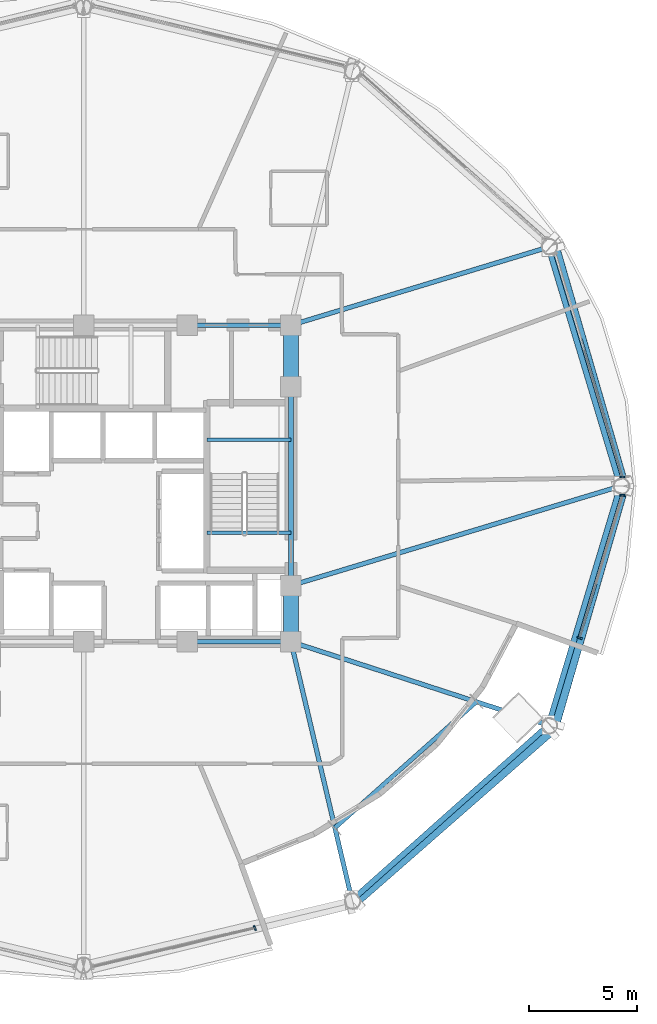
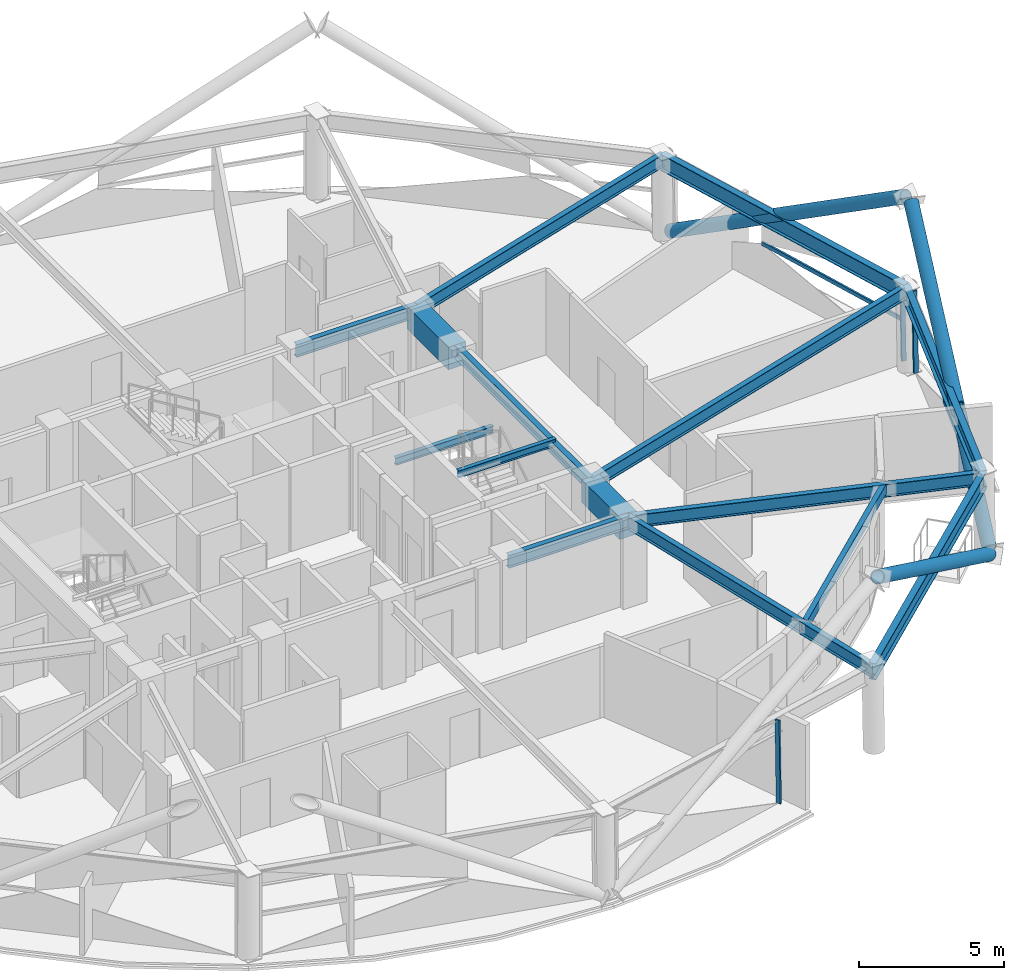
# One storey, part 5 of 17: 15 beams, 9 members, 3 elements without a shape of their own.
"""IFC4 building model written with IfcOpenShell, lengths in metres."""

from ifc_helpers import new_model, si_unit, direction, frame, origin, origin_2d, place, context, subcontext, project, spatial, rectangle, hollow_rectangle, hollow_circle, i_section, extrude, material, layer, layer_set, material_profile, profile_set, type_object, element, aggregate, save


model = new_model("IFC4")

# Units and contexts
model_context = context("Model", 3, precision=1e-05, world=origin(), true_north=direction((0.0, 1.0)))
body_context = subcontext(model_context, "Body", "Model", "MODEL_VIEW")
ifc_project = project(units=[si_unit("LENGTHUNIT", "METRE"), si_unit("AREAUNIT", "SQUARE_METRE"), si_unit("VOLUMEUNIT", "CUBIC_METRE"), si_unit("PLANEANGLEUNIT", "RADIAN"), si_unit("MASSUNIT", "GRAM", prefix="KILO")], contexts=[model_context])

# Site, building, storey
site_placement = place(None, origin())
site = spatial("IfcSite", under=ifc_project, at=site_placement, CompositionType="ELEMENT")
building_placement = place(site_placement, origin())
building = spatial("IfcBuilding", under=site, at=building_placement, Name="Vantalir Tower", CompositionType="ELEMENT")
storey_placement = place(building_placement, frame((0.0, 0.0, 142.199951171875)))
storey = spatial("IfcBuildingStorey", under=building, at=storey_placement, Name="L35", CompositionType="ELEMENT", Elevation=142.199951171875)

# Beams
ifc_material_1 = material(Name="Concrete C60/75", Category="concrete")
ifc_material_profile_1 = material_profile(ifc_material_1, rectangle(XDim=0.699951171875, YDim=0.949951171875, at=origin_2d()), Name="Concrete C60/75")
ifc_profile_set_1 = profile_set([ifc_material_profile_1], Name="Concrete C60/75")
beam_type_1 = type_object("IfcBeamType", Name="BM-CB-700x950", PredefinedType="USERDEFINED", material=ifc_profile_set_1)
beam_1_placement = place(storey_placement, frame((41.10009765625, 17.800048828125, 3.094970703125), z_axis=(0.0, 1.0, 0.0), x_axis=(-1.0, 0.0, 0.0)))
element("IfcBeam", 1, at=beam_1_placement, inside=storey, type_object=beam_type_1, Name="L35 Core Coupling Girder 05", ObjectType="GIRDER", PredefinedType="USERDEFINED", context=body_context, shape_type="SweptSolid", body=[
    extrude(rectangle(XDim=0.699951171875, YDim=0.949951171875, at=origin_2d()), origin(), (0.0, 0.0, 1.0), 2.599853515625),
])
beam_2_placement = place(storey_placement, frame((41.10009765625, 29.60009765625, 3.094970703125), z_axis=(0.0, 1.0, 0.0), x_axis=(-1.0, 0.0, 0.0)))
element("IfcBeam", 2, at=beam_2_placement, inside=storey, type_object=beam_type_1, Name="L35 Core Coupling Girder 07", ObjectType="GIRDER", PredefinedType="USERDEFINED", context=body_context, shape_type="SweptSolid", body=[
    extrude(rectangle(XDim=0.699951171875, YDim=0.949951171875, at=origin_2d()), origin(), (0.0, 0.0, 1.0), 2.849853515625),
])
ifc_material_2 = material(Name="Steel S355", Category="steel")
ifc_material_profile_2 = material_profile(ifc_material_2, i_section(OverallWidth=0.166015625, OverallDepth=0.306884765625, WebThickness=0.006591796875, FlangeThickness=0.01171875, at=origin_2d()), Name="Steel S355")
ifc_profile_set_2 = profile_set([ifc_material_profile_2], Name="Steel S355")
beam_type_2 = type_object("IfcBeamType", Name="BM-JS-305x165", PredefinedType="JOIST", material=ifc_profile_set_2)
for number, where, z_axis, x_axis, name in (
    (3, (37.2099609375, 22.8349609375, 3.595947265625), (1.0, 0.0, 0.0), (0.0, 1.0, 0.0), "L36 Stair ST2 Well Nosing Trimmer Beam"),
    (4, (37.2099609375, 27.14501953125, 1.52197265625), (1.0, 0.0, 0.0), (0.0, 1.0, 0.0), "L35 Stair ST2 Half-Landing Support Beam"),
):
    element("IfcBeam", number, at=place(storey_placement, frame(where, z_axis=z_axis, x_axis=x_axis)), inside=storey, type_object=beam_type_2, Name=name, PredefinedType="JOIST", context=body_context, shape_type="SweptSolid", body=[
        extrude(i_section(OverallWidth=0.166015625, OverallDepth=0.306884765625, WebThickness=0.006591796875, FlangeThickness=0.01171875, at=origin_2d()), origin(), (0.0, 0.0, 1.0), 3.89013671875),
    ])
ifc_material_profile_3 = material_profile(ifc_material_2, i_section(OverallWidth=0.2109375, OverallDepth=0.5390625, WebThickness=0.01171875, FlangeThickness=0.018798828125, at=origin_2d()), Name="Steel S355")
ifc_profile_set_3 = profile_set([ifc_material_profile_3], Name="Steel S355")
beam_type_3 = type_object("IfcBeamType", Name="BM-RB-533x210", PredefinedType="BEAM", material=ifc_profile_set_3)
beam_3_placement = place(storey_placement, frame((36.300048828125, 17.800048828125, 3.301025390625), z_axis=(1.0, 0.0, 0.0), x_axis=(0.0, 1.0, 0.0)))
element("IfcBeam", 5, at=beam_3_placement, inside=storey, type_object=beam_type_3, Name="L35 Core Coupling Girder 04", PredefinedType="BEAM", context=body_context, shape_type="SweptSolid", body=[
    extrude(i_section(OverallWidth=0.2109375, OverallDepth=0.5390625, WebThickness=0.01171875, FlangeThickness=0.018798828125, at=origin_2d()), origin(), (0.0, 0.0, 1.0), 4.800048828125),
])
beam_4_placement = place(storey_placement, frame((41.10009765625, 20.39990234375, 3.301025390625), z_axis=(0.0, 1.0, 0.0), x_axis=(-1.0, 0.0, 0.0)))
element("IfcBeam", 6, at=beam_4_placement, inside=storey, type_object=beam_type_3, Name="L35 Core Coupling Girder 06", PredefinedType="BEAM", context=body_context, shape_type="SweptSolid", body=[
    extrude(i_section(OverallWidth=0.2109375, OverallDepth=0.5390625, WebThickness=0.01171875, FlangeThickness=0.018798828125, at=origin_2d()), origin(), (0.0, 0.0, 1.0), 9.2001953125),
])
beam_5_placement = place(storey_placement, frame((41.10009765625, 32.449951171875, 3.301025390625), z_axis=(-1.0, 0.0, 0.0), x_axis=(0.0, -1.0, 0.0)))
element("IfcBeam", 7, at=beam_5_placement, inside=storey, type_object=beam_type_3, Name="L35 Core Coupling Girder 08", PredefinedType="BEAM", context=body_context, shape_type="SweptSolid", body=[
    extrude(i_section(OverallWidth=0.2109375, OverallDepth=0.5390625, WebThickness=0.01171875, FlangeThickness=0.018798828125, at=origin_2d()), origin(), (0.0, 0.0, 1.0), 4.800048828125),
])
beam_6_placement = place(storey_placement, frame((56.344970703125, 25.0, 3.301025390625), z_axis=(-0.957364679393, -0.288882105106, 0.0), x_axis=(0.288882105106, -0.957364679393, 0.0)))
element("IfcBeam", 8, at=beam_6_placement, inside=storey, type_object=beam_type_3, Name="L35 Radial Floor Beam 01", PredefinedType="BEAM", context=body_context, shape_type="SweptSolid", body=[
    extrude(i_section(OverallWidth=0.2109375, OverallDepth=0.5390625, WebThickness=0.01171875, FlangeThickness=0.018798828125, at=origin_2d()), origin(), (0.0, 0.0, 1.0), 15.923828125),
])
beam_7_placement = place(storey_placement, frame((53.01611328125, 36.06201171875, 3.301025390625), z_axis=(-0.956998840163, -0.290091743981, 0.0), x_axis=(0.290091743981, -0.956998840163, 0.0)))
element("IfcBeam", 9, at=beam_7_placement, inside=storey, type_object=beam_type_3, Name="L35 Radial Floor Beam 02", PredefinedType="BEAM", context=body_context, shape_type="SweptSolid", body=[
    extrude(i_section(OverallWidth=0.2109375, OverallDepth=0.5390625, WebThickness=0.01171875, FlangeThickness=0.018798828125, at=origin_2d()), origin(), (0.0, 0.0, 1.0), 12.451416015625),
])
beam_8_placement = place(storey_placement, frame((43.923095703125, 5.840087890625, 3.301025390625), z_axis=(-0.22972472879, 0.973255644208, 0.0), x_axis=(-0.973255644208, -0.22972472879, 0.0)))
element("IfcBeam", 10, at=beam_8_placement, inside=storey, type_object=beam_type_3, Name="L35 Radial Floor Beam 11", PredefinedType="BEAM", context=body_context, shape_type="SweptSolid", body=[
    extrude(i_section(OverallWidth=0.2109375, OverallDepth=0.5390625, WebThickness=0.01171875, FlangeThickness=0.018798828125, at=origin_2d()), origin(), (0.0, 0.0, 1.0), 12.28857421875),
])
beam_9_placement = place(storey_placement, frame((53.01611328125, 13.93798828125, 3.301025390625), z_axis=(-0.951283551563, 0.308317376294, 0.0), x_axis=(-0.308317376294, -0.951283551563, 0.0)))
element("IfcBeam", 11, at=beam_9_placement, inside=storey, type_object=beam_type_3, Name="L35 Radial Floor Beam 12", PredefinedType="BEAM", context=body_context, shape_type="SweptSolid", body=[
    extrude(i_section(OverallWidth=0.2109375, OverallDepth=0.5390625, WebThickness=0.01171875, FlangeThickness=0.018798828125, at=origin_2d()), origin(), (0.0, 0.0, 1.0), 12.5263671875),
])
ifc_material_3 = material(Name="Steel S460", Category="steel")
ifc_material_profile_4 = material_profile(ifc_material_3, i_section(OverallWidth=0.256103515625, OverallDepth=0.693115234375, WebThickness=0.014404296875, FlangeThickness=0.023681640625, at=origin_2d()), Name="Steel S460")
ifc_profile_set_4 = profile_set([ifc_material_profile_4], Name="Steel S460")
beam_type_4 = type_object("IfcBeamType", Name="BM-RG-686x254", PredefinedType="USERDEFINED", material=ifc_profile_set_4)
beam_10_placement = place(storey_placement, frame((56.344970703125, 25.0, 3.22412109375), z_axis=(-0.288162119412, 0.957581637739, 0.0), x_axis=(-0.957581637739, -0.288162119412, 0.0)))
element("IfcBeam", 12, at=beam_10_placement, inside=storey, type_object=beam_type_4, Name="L35 Circumferential Ring Girder 01", ObjectType="GIRDER", PredefinedType="USERDEFINED", context=body_context, shape_type="SweptSolid", body=[
    extrude(i_section(OverallWidth=0.256103515625, OverallDepth=0.693115234375, WebThickness=0.014404296875, FlangeThickness=0.023681640625, at=origin_2d()), origin(), (0.0, 0.0, 1.0), 11.552001953125),
])
beam_11_placement = place(storey_placement, frame((43.923095703125, 5.840087890625, 3.22412109375), z_axis=(0.746788388797, 0.665061728232, 0.0), x_axis=(-0.665061728232, 0.746788388797, 0.0)))
element("IfcBeam", 13, at=beam_11_placement, inside=storey, type_object=beam_type_4, Name="L35 Circumferential Ring Girder 11", ObjectType="GIRDER", PredefinedType="USERDEFINED", context=body_context, shape_type="SweptSolid", body=[
    extrude(i_section(OverallWidth=0.256103515625, OverallDepth=0.693115234375, WebThickness=0.014404296875, FlangeThickness=0.023681640625, at=origin_2d()), origin(), (0.0, 0.0, 1.0), 12.17626953125),
])
beam_12_placement = place(storey_placement, frame((53.01611328125, 13.93798828125, 3.22412109375), z_axis=(0.288162119412, 0.957581637739, 0.0), x_axis=(-0.957581637739, 0.288162119412, 0.0)))
element("IfcBeam", 14, at=beam_12_placement, inside=storey, type_object=beam_type_4, Name="L35 Circumferential Ring Girder 12", ObjectType="GIRDER", PredefinedType="USERDEFINED", context=body_context, shape_type="SweptSolid", body=[
    extrude(i_section(OverallWidth=0.256103515625, OverallDepth=0.693115234375, WebThickness=0.014404296875, FlangeThickness=0.023681640625, at=origin_2d()), origin(), (0.0, 0.0, 1.0), 11.552001953125),
])
ifc_material_profile_5 = material_profile(ifc_material_2, hollow_rectangle(XDim=0.199951171875, YDim=0.39990234375, WallThickness=0.01611328125, at=origin_2d()), Name="Steel S355")
ifc_profile_set_5 = profile_set([ifc_material_profile_5], Name="Steel S355")
beam_type_5 = type_object("IfcBeamType", Name="BM-SP-400x200", PredefinedType="LINTEL", material=ifc_profile_set_5)
beam_13_placement = place(storey_placement, frame((43.133056640625, 9.18896484375, 3.3701171875), z_axis=(0.746806698495, 0.665041167961, 0.0), x_axis=(-0.665041167961, 0.746806698495, 0.0)))
element("IfcBeam", 15, at=beam_13_placement, inside=storey, type_object=beam_type_5, Name="L35 SG2 Recessed Edge Lintel 1", PredefinedType="LINTEL", context=body_context, shape_type="SweptSolid", body=[
    extrude(hollow_rectangle(XDim=0.199951171875, YDim=0.39990234375, WallThickness=0.01611328125, at=origin_2d()), origin(), (0.0, 0.0, 1.0), 8.7666015625),
])

# Curtain wall, member
ifc_material_4 = material(Name="Champagne-silver PVDF aluminium and double-silver Low-E glass", Category="aluminium")
ifc_layer = layer(ifc_material_4, 0.199951171875)
ifc_layer_set = layer_set([ifc_layer], Name="Champagne-silver PVDF aluminium and double-silver Low-E glass")
curtain_wall_type = type_object("IfcCurtainWallType", Name="CW-DIAMOND-Z2", PredefinedType="USERDEFINED", material=ifc_layer_set)
curtain_wall_1_placement = place(storey_placement, origin())
curtain_wall_1 = element("IfcCurtainWall", 16, at=curtain_wall_1_placement, inside=storey, type_object=curtain_wall_type, Name="L35 Quilted Pyramid-Diamond Curtain Wall S01", ObjectType="UNITISED CURTAIN WALL", PredefinedType="USERDEFINED")
ifc_material_5 = material(Name="Champagne-silver PVDF aluminium 6063-T6", Category="aluminium")
ifc_material_profile_6 = material_profile(ifc_material_5, hollow_rectangle(XDim=0.074951171875, YDim=0.179931640625, WallThickness=0.00390625, at=origin_2d()), Name="Champagne-silver PVDF aluminium 6063-T6")
ifc_profile_set_6 = profile_set([ifc_material_profile_6], Name="Champagne-silver PVDF aluminium 6063-T6")
member_type_1 = type_object("IfcMemberType", Name="CWM-180x75", PredefinedType="MULLION", material=ifc_profile_set_6)
member_1_placement = place(storey_placement, frame((56.469970703125, 25.4208984375, 0.045166015625), z_axis=(-0.017816730913, 0.0, 0.999841269452), x_axis=(0.0, -1.0, 0.0)))
member_1 = element("IfcMember", 17, at=member_1_placement, type_object=member_type_1, Name="CW-L35-S01 Mullion 1", PredefinedType="MULLION", context=body_context, shape_type="SweptSolid", body=[
    extrude(hollow_rectangle(XDim=0.074951171875, YDim=0.179931640625, WallThickness=0.00390625, at=origin_2d()), origin(), (0.0, 0.0, 1.0), 3.48046875),
])

curtain_wall_2_placement = place(storey_placement, origin())
curtain_wall_2 = element("IfcCurtainWall", 18, at=curtain_wall_2_placement, inside=storey, type_object=curtain_wall_type, Name="L35 Quilted Pyramid-Diamond Curtain Wall S10", ObjectType="UNITISED CURTAIN WALL", PredefinedType="USERDEFINED")
member_2_placement = place(storey_placement, frame((39.43798828125, 4.52587890625, 0.045166015625), z_axis=(-0.006032635904, 0.014660708185, 0.999874327573), x_axis=(-0.924769708227, -0.380527248361, 0.0)))
member_2 = element("IfcMember", 19, at=member_2_placement, type_object=member_type_1, Name="CW-L35-S10 Mullion 2", PredefinedType="MULLION", context=body_context, shape_type="SweptSolid", body=[
    extrude(hollow_rectangle(XDim=0.074951171875, YDim=0.179931640625, WallThickness=0.00390625, at=origin_2d()), origin(), (0.0, 0.0, 1.0), 3.48046875),
])
aggregate(curtain_wall_2, [member_2])

# Curtain wall, members
curtain_wall_3_placement = place(storey_placement, origin())
curtain_wall_3 = element("IfcCurtainWall", 20, at=curtain_wall_3_placement, inside=storey, type_object=curtain_wall_type, Name="L35 Quilted Pyramid-Diamond Curtain Wall S12", ObjectType="UNITISED CURTAIN WALL", PredefinedType="USERDEFINED")
member_3_placement = place(storey_placement, frame((54.48193359375, 17.965087890625, 0.045166015625), z_axis=(-0.016063382257, 0.005120641506, 0.999857863289), x_axis=(-0.303718800733, -0.952761717368, 0.0)))
member_3 = element("IfcMember", 21, at=member_3_placement, type_object=member_type_1, Name="CW-L35-S12 Mullion 1", PredefinedType="MULLION", context=body_context, shape_type="SweptSolid", body=[
    extrude(hollow_rectangle(XDim=0.074951171875, YDim=0.179931640625, WallThickness=0.00390625, at=origin_2d()), origin(), (0.0, 0.0, 1.0), 3.48046875),
])
member_4_placement = place(storey_placement, frame((56.469970703125, 24.5791015625, 0.045166015625), z_axis=(-0.017816730913, 0.0, 0.999841269452), x_axis=(0.0, -1.0, 0.0)))
member_4 = element("IfcMember", 22, at=member_4_placement, type_object=member_type_1, Name="CW-L35-S12 Mullion 2", PredefinedType="MULLION", context=body_context, shape_type="SweptSolid", body=[
    extrude(hollow_rectangle(XDim=0.074951171875, YDim=0.179931640625, WallThickness=0.00390625, at=origin_2d()), origin(), (0.0, 0.0, 1.0), 3.48046875),
])

# Member
ifc_material_profile_7 = material_profile(ifc_material_5, hollow_rectangle(XDim=0.074951171875, YDim=0.159912109375, WallThickness=0.00390625, at=origin_2d()), Name="Champagne-silver PVDF aluminium 6063-T6")
ifc_profile_set_7 = profile_set([ifc_material_profile_7], Name="Champagne-silver PVDF aluminium 6063-T6")
member_type_2 = type_object("IfcMemberType", Name="CWT-160x75", PredefinedType="USERDEFINED", material=ifc_profile_set_7)
member_5_placement = place(storey_placement, frame((56.43896484375, 25.4208984375, 1.78515625), z_axis=(-0.284399072044, 0.958705986119, 0.0), x_axis=(-0.958705986119, -0.284399072044, 0.0)))
member_5 = element("IfcMember", 23, at=member_5_placement, type_object=member_type_2, Name="CW-L35-S01 Pyramid Fold Ridge Transom", ObjectType="TRANSOM", PredefinedType="USERDEFINED", context=body_context, shape_type="SweptSolid", body=[
    extrude(hollow_rectangle(XDim=0.074951171875, YDim=0.159912109375, WallThickness=0.00390625, at=origin_2d()), origin(), (0.0, 0.0, 1.0), 6.687255859375),
])

aggregate(curtain_wall_1, [member_1, member_5])

member_6_placement = place(storey_placement, frame((54.4541015625, 17.97412109375, 1.78515625), z_axis=(0.296557307836, 0.955015059132, 0.0), x_axis=(-0.955015059132, 0.296557307836, 0.0)))
member_6 = element("IfcMember", 24, at=member_6_placement, type_object=member_type_2, Name="CW-L35-S12 Pyramid Fold Ridge Transom", ObjectType="TRANSOM", PredefinedType="USERDEFINED", context=body_context, shape_type="SweptSolid", body=[
    extrude(hollow_rectangle(XDim=0.074951171875, YDim=0.159912109375, WallThickness=0.00390625, at=origin_2d()), origin(), (0.0, 0.0, 1.0), 2.622802734375),
])

aggregate(curtain_wall_3, [member_3, member_4, member_6])

# Members
ifc_material_profile_8 = material_profile(ifc_material_3, hollow_circle(Radius=0.260009765625, WallThickness=0.0380859375, at=origin_2d()), Name="Steel S460")
ifc_profile_set_8 = profile_set([ifc_material_profile_8], Name="Steel S460")
member_type_3 = type_object("IfcMemberType", Name="MEM-DB-520x38", PredefinedType="BRACE", material=ifc_profile_set_8)
for number, where, z_axis, x_axis, name in (
    (25, (53.287109375, 36.0048828125, 0.195068359375), (0.236875839523, -0.818232926817, 0.523817443508), (0.96055832564, 0.278078591486, 0.0), "L35 Perimeter S460 Diagrid Brace R04R"),
    (26, (53.287109375, 13.9951171875, 0.195068359375), (0.236875839523, 0.818232926817, 0.523817443508), (-0.96055832564, 0.278078591486, 0.0), "L35 Perimeter S460 Diagrid Brace R34L"),
):
    element("IfcMember", number, at=place(storey_placement, frame(where, z_axis=z_axis, x_axis=x_axis)), inside=storey, type_object=member_type_3, Name=name, PredefinedType="BRACE", context=body_context, shape_type="SweptSolid", body=[
        extrude(hollow_circle(Radius=0.260009765625, WallThickness=0.0380859375, at=origin_2d()), origin(), (0.0, 0.0, 1.0), 13.229736328125),
    ])
member_7_placement = place(storey_placement, frame((53.092041015625, 13.68994140625, 0.191162109375), z_axis=(-0.650262752147, -0.568990979371, 0.50339608517), x_axis=(0.658511864821, -0.752570344812, 0.0)))
element("IfcMember", 27, at=member_7_placement, inside=storey, type_object=member_type_3, Name="L35 Perimeter S460 Diagrid Brace R34R", PredefinedType="BRACE", context=body_context, shape_type="SweptSolid", body=[
    extrude(hollow_circle(Radius=0.260009765625, WallThickness=0.0380859375, at=origin_2d()), origin(), (0.0, 0.0, 1.0), 13.782470703125),
])

save(model, "model.ifc")
